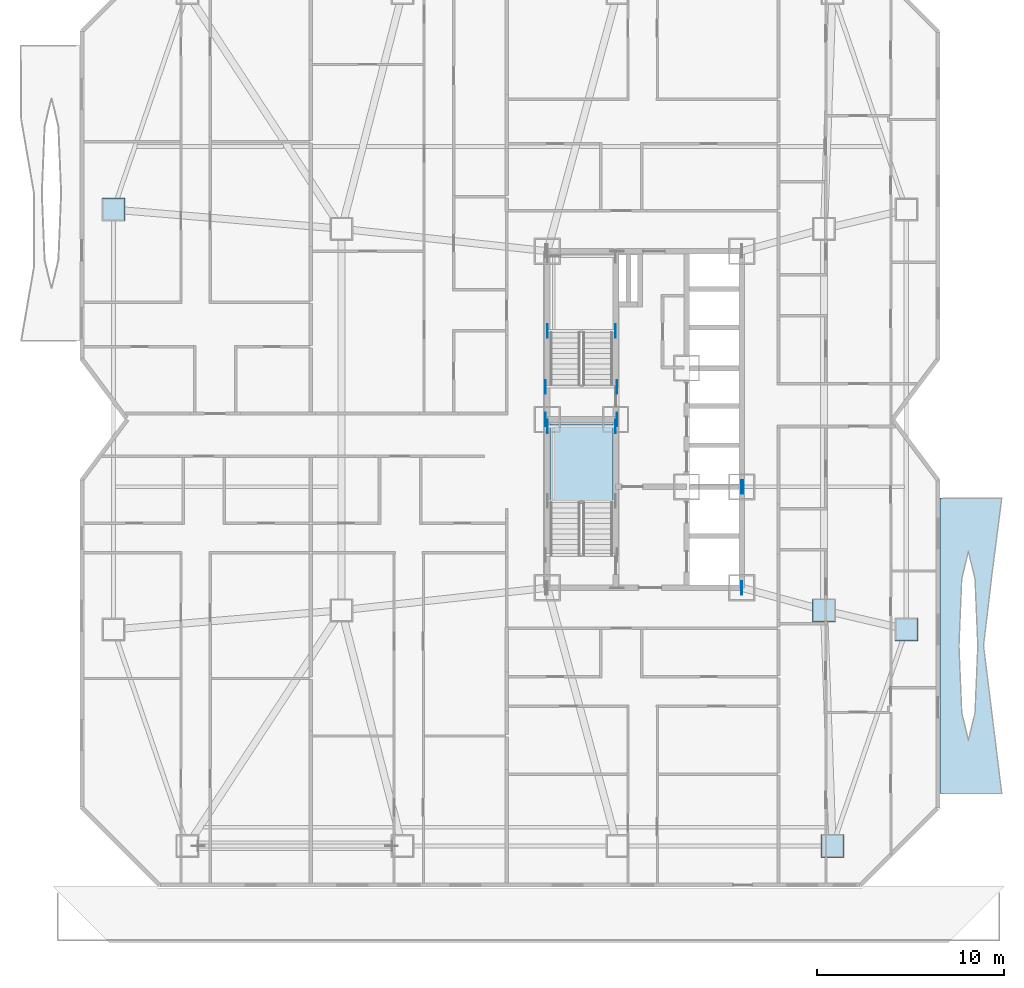
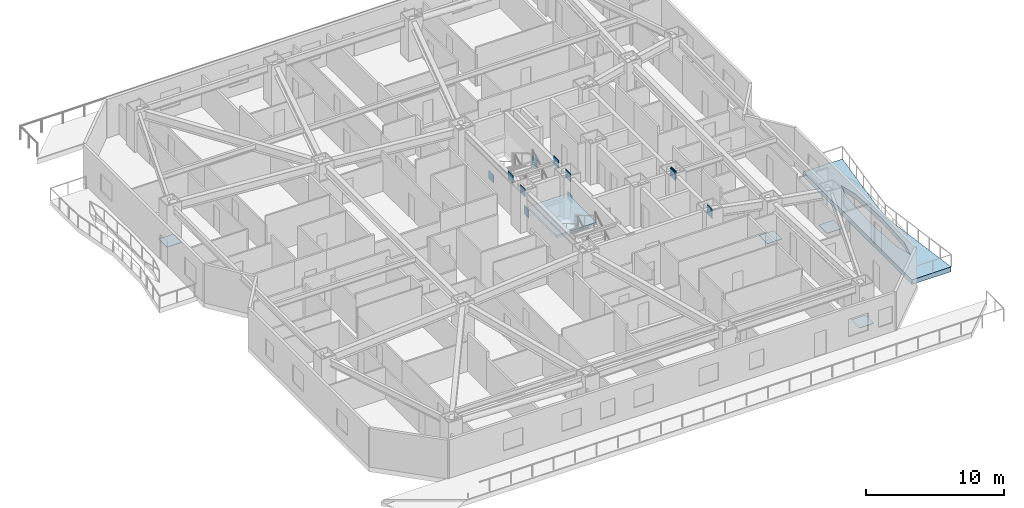
# One storey, part 5 of 18: 16 plates, 2 slabs, 1 element without a shape of its own.
"""IFC4 building model written with IfcOpenShell, lengths in metres."""

import ifcopenshell
import ifcopenshell.guid

model = None  # the IFC model being written
_history = None  # IfcOwnerHistory: only IFC2X3 demands one
_inside = {}  # id of a spatial element -> (the spatial element, [elements in it])
_under = {}  # id of a project, library or spatial element -> (it, [spatial elements below it])
_declared = {}  # id of a project -> (the project, [libraries it declares])
_typed = {}  # id of a type object -> (the type object, [elements of that type])
_made_of = {}  # id of a material, layer set ... -> (it, [elements and type objects made of it])


def new_model(schema):
    """Start an empty IFC model of exactly this schema.

    Asked for "IFC4X3", IfcOpenShell would pick the latest addendum, in which some entities
    have other attributes; the version numbers below select the first issue.
    IFC2X3 requires an IfcOwnerHistory on every rooted entity: one is made here for all.
    """
    global model, _history
    if schema == "IFC4X3":
        model = ifcopenshell.file(schema_version=(4, 3, 0, 0))
    else:
        model = ifcopenshell.file(schema=schema)
    _inside.clear()
    _under.clear()
    _declared.clear()
    _typed.clear()
    _made_of.clear()
    _history = None
    if model.schema == "IFC2X3":
        org = make("IfcOrganization", Name="unknown")
        user = make(
            "IfcPersonAndOrganization",
            ThePerson=make("IfcPerson", FamilyName="unknown"),
            TheOrganization=org,
        )
        app = make(
            "IfcApplication",
            ApplicationDeveloper=org,
            Version="unknown",
            ApplicationFullName="unknown",
            ApplicationIdentifier="unknown",
        )
        _history = make(
            "IfcOwnerHistory",
            OwningUser=user,
            OwningApplication=app,
            ChangeAction="ADDED",
            CreationDate=0,
        )
    return model


def make(cls, **values):
    """One entity of the class cls with the attributes given. An attribute that is None is left unset."""
    return model.create_entity(
        cls, **{name: value for name, value in values.items() if value is not None}
    )


def rooted(cls, **values):
    """An entity with a GlobalId (a new one), such as an element, a storey or a relation."""
    return make(cls, GlobalId=ifcopenshell.guid.new(), OwnerHistory=_history, **values)


def si_unit(unit_type, name, prefix=None):
    """IfcSIUnit, for example si_unit("LENGTHUNIT", "METRE", prefix="MILLI")."""
    return make("IfcSIUnit", UnitType=unit_type, Prefix=prefix, Name=name)


def assignment(units):
    """IfcUnitAssignment: the units of a project."""
    return None if units is None else make("IfcUnitAssignment", Units=units)


def point(xyz):
    """IfcCartesianPoint."""
    return None if xyz is None else make("IfcCartesianPoint", Coordinates=xyz)


def direction(xyz):
    """IfcDirection."""
    return None if xyz is None else make("IfcDirection", DirectionRatios=xyz)


def frame(location, z_axis=None, x_axis=None):
    """IfcAxis2Placement3D, a coordinate frame: its origin and axes. An axis left out is left unset."""
    return make(
        "IfcAxis2Placement3D",
        Location=point(location),
        Axis=direction(z_axis),
        RefDirection=direction(x_axis),
    )


def frame_2d(location, x_axis=None):
    """IfcAxis2Placement2D, a coordinate frame in the plane: its origin and x axis."""
    return make(
        "IfcAxis2Placement2D", Location=point(location), RefDirection=direction(x_axis)
    )


def origin():
    """The frame at (0, 0, 0) with its axes left unset."""
    return frame((0.0, 0.0, 0.0))


def origin_2d():
    """The frame at (0, 0) in the plane with its x axis left unset."""
    return frame_2d((0.0, 0.0))


def place(relative_to, where):
    """IfcLocalPlacement: puts the frame where relative to a parent placement (None: the world)."""
    return make(
        "IfcLocalPlacement", PlacementRelTo=relative_to, RelativePlacement=where
    )


def context(
    kind, dimensions, precision=None, world=None, true_north=None, identifier=None
):
    """IfcGeometricRepresentationContext, for example the 3D "Model" context."""
    return make(
        "IfcGeometricRepresentationContext",
        ContextIdentifier=identifier,
        ContextType=kind,
        CoordinateSpaceDimension=dimensions,
        Precision=precision,
        WorldCoordinateSystem=world,
        TrueNorth=true_north,
    )


def subcontext(parent, identifier, kind, view, scale=None):
    """IfcGeometricRepresentationSubContext, for example "Body" below "Model"."""
    return make(
        "IfcGeometricRepresentationSubContext",
        ContextIdentifier=identifier,
        ContextType=kind,
        ParentContext=parent,
        TargetScale=scale,
        TargetView=view,
    )


def project(units=None, contexts=None):
    """IfcProject with its units and contexts."""
    return rooted(
        "IfcProject",
        Name="project",
        RepresentationContexts=contexts,
        UnitsInContext=assignment(units),
    )


def spatial(cls, under=None, at=None, **own):
    """A site, building, storey or space (cls), placed at a placement, below another one or the project."""
    s = rooted(cls, ObjectPlacement=at, **own)
    if under is not None:
        _under.setdefault(under.id(), (under, []))[1].append(s)
    return s


def polyline(points):
    """IfcPolyline through the points."""
    return make("IfcPolyline", Points=[point(p) for p in points])


def profile(cls, at=None, kind="AREA", **sizes):
    """A parametric profile (cls). Its sizes go by their IFC names, for example OverallWidth=200.0."""
    return make(cls, ProfileType=kind, Position=at, **sizes)


def rectangle(**sizes):
    """IfcRectangleProfileDef."""
    return profile("IfcRectangleProfileDef", **sizes)


def outline(outer, holes=None, kind="AREA"):
    """IfcArbitraryClosedProfileDef: a profile drawn as a closed curve; with holes, ...WithVoids."""
    if holes is None:
        return make("IfcArbitraryClosedProfileDef", ProfileType=kind, OuterCurve=outer)
    return make(
        "IfcArbitraryProfileDefWithVoids",
        ProfileType=kind,
        OuterCurve=outer,
        InnerCurves=holes,
    )


def extrude(swept, where, along, depth):
    """IfcExtrudedAreaSolid: the profile swept, set in the frame where, extruded along a direction by depth."""
    return make(
        "IfcExtrudedAreaSolid",
        SweptArea=swept,
        Position=where,
        ExtrudedDirection=direction(along),
        Depth=depth,
    )


def shape(context_of_items, identifier, shape_type, items):
    """IfcShapeRepresentation: the items that make up one representation, for example the "Body"."""
    return make(
        "IfcShapeRepresentation",
        ContextOfItems=context_of_items,
        RepresentationIdentifier=identifier,
        RepresentationType=shape_type,
        Items=items,
    )


def material(Name=None, Category=None):
    """IfcMaterial."""
    return make("IfcMaterial", Name=Name, Category=Category)


def layer(
    of_material, thickness, ventilated=None, Name=None, Category=None, Priority=None
):
    """IfcMaterialLayer: one layer of a wall or slab, of a material (None: an air gap)."""
    return make(
        "IfcMaterialLayer",
        Material=of_material,
        LayerThickness=thickness,
        IsVentilated=ventilated,
        Name=Name,
        Category=Category,
        Priority=Priority,
    )


def layer_set(layers, Name=None):
    """IfcMaterialLayerSet."""
    return make("IfcMaterialLayerSet", MaterialLayers=layers, LayerSetName=Name)


def made_of(thing, what):
    """Note that an element or type object is made of a material, layer set ...; save() writes the relation."""
    if what is not None:
        _made_of.setdefault(what.id(), (what, []))[1].append(thing)
    return thing


def type_object(cls, material=None, **own):
    """A type object (cls), such as IfcWallType, which elements share."""
    return made_of(rooted(cls, **own), material)


def element(
    cls,
    number,
    at=None,
    inside=None,
    cuts=None,
    type_object=None,
    material=None,
    context=None,
    identifier="Body",
    shape_type=None,
    held_by="IfcProductDefinitionShape",
    body=None,
    shapes=None,
    **own,
):
    """One element of the class cls, such as IfcWall. Its Tag is "e" and its number.

    at: its placement. inside: the storey or other place that contains it. cuts: it is an
    opening in that element (IfcRelVoidsElement). A single representation is given by context,
    identifier, shape_type and body (its items); several are given by shapes. held_by: the class
    of the entity that holds the representations. save() writes the other relations.
    """
    e = rooted(cls, Tag="e%d" % number, ObjectPlacement=at, **own)
    if body is not None:
        shapes = [shape(context, identifier, shape_type, body)]
    if shapes is not None:
        e.Representation = make(held_by, Representations=shapes)
    if inside is not None:
        _inside.setdefault(inside.id(), (inside, []))[1].append(e)
    if cuts is not None:
        rooted(
            "IfcRelVoidsElement", RelatingBuildingElement=cuts, RelatedOpeningElement=e
        )
    if type_object is not None:
        _typed.setdefault(type_object.id(), (type_object, []))[1].append(e)
    return made_of(e, material)


def aggregate(whole, parts):
    """IfcRelAggregates: a whole, such as a stair, and the parts it consists of."""
    return rooted("IfcRelAggregates", RelatingObject=whole, RelatedObjects=parts)


def save(model, path):
    """Write the relations noted so far, then the file.

    IfcRelAggregates (storeys below a building ...), IfcRelContainedInSpatialStructure (elements
    in a storey), IfcRelDefinesByType, IfcRelAssociatesMaterial and IfcRelDeclares: one each for
    every whole, place, type object, material and project.
    """
    for whole, parts in _under.values():
        aggregate(whole, parts)
    for where, things in _inside.values():
        rooted(
            "IfcRelContainedInSpatialStructure",
            RelatedElements=things,
            RelatingStructure=where,
        )
    for kind, things in _typed.values():
        rooted("IfcRelDefinesByType", RelatedObjects=things, RelatingType=kind)
    for what, things in _made_of.values():
        rooted("IfcRelAssociatesMaterial", RelatedObjects=things, RelatingMaterial=what)
    for by, libraries in _declared.values():
        rooted("IfcRelDeclares", RelatingContext=by, RelatedDefinitions=libraries)
    model.write(path)


model = new_model("IFC4")

# Units and contexts
model_context = context("Model", 3, precision=1e-05, world=origin(), true_north=direction((0.0, 1.0)))
body_context = subcontext(model_context, "Body", "Model", "MODEL_VIEW")
ifc_project = project(units=[si_unit("LENGTHUNIT", "METRE"), si_unit("AREAUNIT", "SQUARE_METRE"), si_unit("VOLUMEUNIT", "CUBIC_METRE"), si_unit("PLANEANGLEUNIT", "RADIAN"), si_unit("MASSUNIT", "GRAM", prefix="KILO")], contexts=[model_context])

# Site, building, storey
site_placement = place(None, origin())
site = spatial("IfcSite", under=ifc_project, at=site_placement, CompositionType="ELEMENT")
building_placement = place(site_placement, origin())
building = spatial("IfcBuilding", under=site, at=building_placement, Name="Khamvora Tower", CompositionType="ELEMENT")
storey_placement = place(building_placement, frame((0.0, 0.0, 33.300048828125)))
storey = spatial("IfcBuildingStorey", under=building, at=storey_placement, Name="L07", CompositionType="ELEMENT", Elevation=33.300048828125)

# Plates
ifc_material_1 = material(Name="Steel S355", Category="steel")
ifc_layer_1 = layer(ifc_material_1, 0.02490234375)
ifc_layer_set_1 = layer_set([ifc_layer_1], Name="Steel S355")
plate_type_1 = type_object("IfcPlateType", Name="PL-CAP-25", PredefinedType="SHEET", material=ifc_layer_set_1)
for number, where, z_axis, x_axis, name in (
    (1, (44.25, 5.199951171875, -0.00048828125), (0.0, 0.0, 1.0), (1.0, 0.0, 0.0), "L07 hollow section steel end cap plate 0092"),
    (2, (5.800048828125, 39.22998046875, -0.00048828125), (0.0, 0.0, 1.0), (1.0, 0.0, 0.0), "L07 hollow section steel end cap plate 0116"),
    (3, (48.199951171875, 16.77001953125, -0.00048828125), (0.0, 0.0, 1.0), (1.0, 0.0, 0.0), "L07 hollow section steel end cap plate 0120"),
    (4, (43.800048828125, 17.800048828125, -0.00048828125), (0.0, 0.0, 1.0), (1.0, 0.0, 0.0), "L07 hollow section steel end cap plate 0138"),
):
    element("IfcPlate", number, at=place(storey_placement, frame(where, z_axis=z_axis, x_axis=x_axis)), inside=storey, type_object=plate_type_1, Name=name, PredefinedType="SHEET", context=body_context, shape_type="SweptSolid", body=[
        extrude(rectangle(XDim=1.22998046875, YDim=1.22998046875, at=origin_2d()), origin(), (0.0, 0.0, 1.0), 0.02490234375),
    ])
ifc_material_2 = material(Name="Steel S460", Category="steel")
ifc_layer_2 = layer(ifc_material_2, 0.034912109375)
ifc_layer_set_2 = layer_set([ifc_layer_2], Name="Steel S460")
plate_type_2 = type_object("IfcPlateType", Name="PL-EMB-35", PredefinedType="SHEET", material=ifc_layer_set_2)
for number, where, z_axis, x_axis, name in (
    (5, (29.0, 27.6298828125, 1.1337890625), (0.0, 0.0, 1.0), (1.0, 0.0, 0.0), "L07 core shear wall cast-in embed plate 0229"),
    (6, (32.64990234375, 27.6298828125, 1.1337890625), (0.0, 0.0, 1.0), (1.0, 0.0, 0.0), "L07 core shear wall cast-in embed plate 0230"),
    (7, (29.0, 32.735107421875, 1.1337890625), (0.0, 0.0, 1.0), (1.0, 0.0, 0.0), "L07 core shear wall cast-in embed plate 0231"),
    (8, (32.64990234375, 32.735107421875, 1.1337890625), (0.0, 0.0, 1.0), (1.0, 0.0, 0.0), "L07 core shear wall cast-in embed plate 0232"),
    (9, (39.39990234375, 19.0, 2.68310546875), (0.0, 0.0, 1.0), (1.0, 0.0, 0.0), "L07 core shear wall cast-in embed plate 0238"),
    (10, (28.89990234375, 28.0, 2.802734375), (0.0, 0.0, 1.0), (1.0, 0.0, 0.0), "L07 core shear wall cast-in embed plate 0241"),
    (11, (32.72998046875, 28.0, 2.802734375), (0.0, 0.0, 1.0), (1.0, 0.0, 0.0), "L07 core shear wall cast-in embed plate 0244"),
    (12, (39.39990234375, 19.0, 2.802734375), (0.0, 0.0, 1.0), (1.0, 0.0, 0.0), "L07 core shear wall cast-in embed plate 0246"),
    (13, (39.39990234375, 24.39990234375, 2.802734375), (0.0, 0.0, 1.0), (1.0, 0.0, 0.0), "L07 core shear wall cast-in embed plate 0247"),
    (14, (28.89990234375, 29.75, 2.94384765625), (0.0, 0.0, 1.0), (1.0, 0.0, 0.0), "L07 core shear wall cast-in embed plate 0251"),
    (15, (32.72998046875, 29.75, 2.94384765625), (0.0, 0.0, 1.0), (1.0, 0.0, 0.0), "L07 core shear wall cast-in embed plate 0252"),
    (16, (39.4990234375, 24.39990234375, 2.837890625), (0.0, 0.0, 1.0), (1.0, 0.0, 0.0), "L07 core shear wall cast-in embed plate 0253"),
):
    element("IfcPlate", number, at=place(storey_placement, frame(where, z_axis=z_axis, x_axis=x_axis)), inside=storey, type_object=plate_type_2, Name=name, PredefinedType="SHEET", context=body_context, shape_type="SweptSolid", body=[
        extrude(rectangle(XDim=0.034912109375, YDim=0.719970703125, at=origin_2d()), origin(), (0.0, 0.0, 1.0), 0.719970703125),
    ])

# Slab
ifc_material_3 = material(Name="Concrete C40/50", Category="concrete")
ifc_layer_3 = layer(ifc_material_3, 0.419921875)
ifc_layer_set_3 = layer_set([ifc_layer_3], Name="Concrete C40/50")
slab_type_1 = type_object("IfcSlabType", Name="SLB-GRD-420", PredefinedType="FLOOR", material=ifc_layer_set_3)
slab_1_placement = place(storey_placement, frame((0.0, 0.0, -0.420166015625)))
element("IfcSlab", 17, at=slab_1_placement, inside=storey, type_object=slab_type_1, Name="L07 external lens gallery slab EL1", PredefinedType="FLOOR", context=body_context, shape_type="SweptSolid", body=[
    extrude(outline(polyline([(53.300048828125, 8.0), (52.81494140625, 11.949951171875), (52.324951171875, 15.89990234375), (52.791015625, 19.85009765625), (53.299072265625, 23.800048828125), (50.0, 23.800048828125), (50.0, 8.0), (53.300048828125, 8.0)]), holes=[polyline([(52.01904296875, 15.89990234375), (51.87109375, 19.47509765625), (51.514892578125, 20.9560546875), (51.158935546875, 19.47509765625), (51.010986328125, 15.89990234375), (51.158935546875, 12.324951171875), (51.514892578125, 10.843994140625), (51.87109375, 12.324951171875), (52.01904296875, 15.89990234375)])]), origin(), (0.0, 0.0, 1.0), 0.420166015625),
])

# Stair, slab
stair_type = type_object("IfcStairType", Name="STR-ST-01", PredefinedType="HALF_TURN_STAIR", material=ifc_material_3)
stair_placement = place(storey_placement, origin())
stair = element("IfcStair", 18, at=stair_placement, inside=storey, type_object=stair_type, Name="L07 South Tower Exit Stair ST-01", PredefinedType="HALF_TURN_STAIR")
ifc_layer_4 = layer(ifc_material_3, 0.199951171875)
ifc_layer_set_4 = layer_set([ifc_layer_4], Name="Concrete C40/50")
slab_type_2 = type_object("IfcSlabType", Name="SLB-LND-200", PredefinedType="LANDING", material=ifc_layer_set_4)
slab_2_placement = place(storey_placement, frame((0.0, 0.0, 1.625)))
slab_2 = element("IfcSlab", 19, at=slab_2_placement, type_object=slab_type_2, Name="ST-01 landing 1", PredefinedType="LANDING", context=body_context, shape_type="SweptSolid", body=[
    extrude(outline(polyline([(32.5, 23.514892578125), (32.5, 27.75), (29.14990234375, 27.75), (29.14990234375, 23.514892578125), (32.5, 23.514892578125)])), origin(), (0.0, 0.0, 1.0), 0.199951171875),
])
aggregate(stair, [slab_2])

save(model, "model.ifc")
